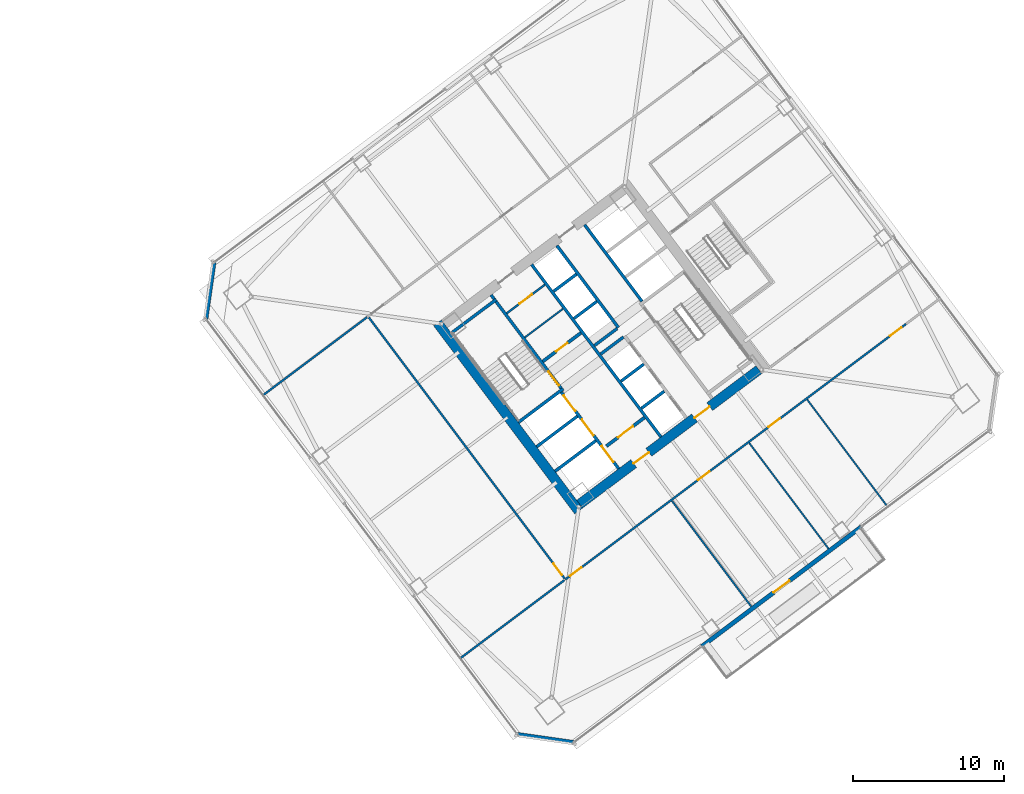
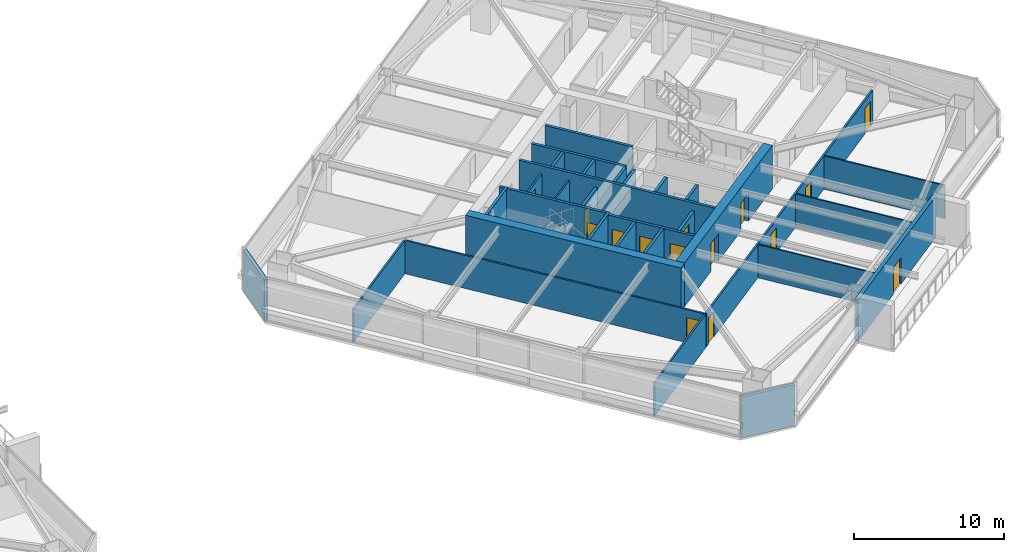
# One storey, part 37 of 46: 31 walls, 15 doors, 15 openings.
"""IFC4 building model written with IfcOpenShell, lengths in metres."""

from ifc_helpers import new_model, si_unit, direction, frame, frame_2d, origin, place, context, subcontext, project, spatial, rectangle, extrude, material, layer, layer_set, type_object, element, fill, save


model = new_model("IFC4")

# Units and contexts
model_context = context("Model", 3, precision=1e-05, world=origin(), true_north=direction((0.0, 1.0)))
body_context = subcontext(model_context, "Body", "Model", "MODEL_VIEW")
ifc_project = project(units=[si_unit("LENGTHUNIT", "METRE"), si_unit("AREAUNIT", "SQUARE_METRE"), si_unit("VOLUMEUNIT", "CUBIC_METRE"), si_unit("PLANEANGLEUNIT", "RADIAN"), si_unit("MASSUNIT", "GRAM", prefix="KILO")], contexts=[model_context])

# Site, building, storey
site_placement = place(None, origin())
site = spatial("IfcSite", under=ifc_project, at=site_placement, CompositionType="ELEMENT")
building_placement = place(site_placement, origin())
building = spatial("IfcBuilding", under=site, at=building_placement, Name="Tashvorn Skyway Center", CompositionType="ELEMENT")
storey_placement = place(building_placement, frame((0.0, 0.0, 99.14990234375)))
storey = spatial("IfcBuildingStorey", under=building, at=storey_placement, Name="L26", CompositionType="ELEMENT", Elevation=99.14990234375)

# Wall
ifc_material_1 = material(Name="Concrete C60/75", Category="concrete")
ifc_layer_1 = layer(ifc_material_1, 0.64990234375)
ifc_layer_set_1 = layer_set([ifc_layer_1], Name="Concrete C60/75")
wall_type_1 = type_object("IfcWallType", Name="WALL-CORE-650", PredefinedType="SHEAR", material=ifc_layer_set_1)
wall_1_placement = place(storey_placement, frame((112.47607421875, 21.10693359375, 0.0), z_axis=(0.0, 0.0, 1.0), x_axis=(-0.600005007985, 0.799996243986, 0.0)))
element("IfcWall", 1, at=wall_1_placement, inside=storey, type_object=wall_type_1, Name="Tower 2 L26 West Core Shear Wall", PredefinedType="SHEAR", context=body_context, shape_type="SweptSolid", body=[
    extrude(rectangle(XDim=15.60009765625, YDim=0.64990234375, at=frame_2d((7.800048828125, 0.0))), origin(), (0.0, 0.0, 1.0), 3.550048828125),
])

# Wall, openings, doors
wall_2_placement = place(storey_placement, frame((124.428955078125, 30.47802734375, 0.0), z_axis=(0.0, 0.0, 1.0), x_axis=(-0.799998028465, -0.600002628705, 0.0)))
wall_2 = element("IfcWall", 2, at=wall_2_placement, inside=storey, type_object=wall_type_1, Name="Tower 2 L26 South Core Shear Wall", PredefinedType="SHEAR", context=body_context, shape_type="SweptSolid", body=[
    extrude(rectangle(XDim=14.85986328125, YDim=0.64990234375, at=frame_2d((7.429931640625, 0.0))), origin(), (0.0, 0.0, 1.0), 3.550048828125),
])
opening_1_placement = place(wall_2_placement, frame((9.1298828125, 0.0, 0.0)))
opening_1 = element("IfcOpeningElement", 3, at=opening_1_placement, cuts=wall_2, Name="Opening D-FFL-1250", PredefinedType="OPENING", context=body_context, shape_type="SweptSolid", body=[
    extrude(rectangle(XDim=1.25, YDim=2.25, at=frame_2d((0.625, 1.125))), frame((0.0, 0.3349609375, 0.0), z_axis=(0.0, -1.0, 0.0), x_axis=(1.0, 0.0, 0.0)), (0.0, 0.0, 1.0), 0.669921875),
])
opening_2_placement = place(wall_2_placement, frame((4.080078125, 0.0, 0.0)))
opening_2 = element("IfcOpeningElement", 4, at=opening_2_placement, cuts=wall_2, Name="Opening D-FFL-1250", PredefinedType="OPENING", context=body_context, shape_type="SweptSolid", body=[
    extrude(rectangle(XDim=1.25, YDim=2.25, at=frame_2d((0.625, 1.125))), frame((0.0, 0.3349609375, 0.0), z_axis=(0.0, -1.0, 0.0), x_axis=(1.0, 0.0, 0.0)), (0.0, 0.0, 1.0), 0.669921875),
])
ifc_material_2 = material(Name="Hollow galvanized steel fire door assembly", Category="steel")
door_type_1 = type_object("IfcDoorType", Name="DOOR-FFL-1250", OperationType="NOTDEFINED", PredefinedType="DOOR", material=ifc_material_2)
door_1_placement = place(opening_1_placement, origin())
door_1 = element("IfcDoor", 5, at=door_1_placement, inside=storey, type_object=door_type_1, Name="Tower 2 L26 Core South Firefighting Exit Door", OperationType="SINGLE_SWING_LEFT", OverallHeight=2.25, OverallWidth=1.25, PredefinedType="DOOR", context=body_context, shape_type="SweptSolid", body=[
    extrude(rectangle(XDim=1.25, YDim=2.25, at=frame_2d((0.625, 1.125))), frame((0.0, 0.02490234375, 0.0), z_axis=(0.0, -1.0, 0.0), x_axis=(1.0, 0.0, 0.0)), (0.0, 0.0, 1.0), 0.050048828125),
])
fill(opening_1, door_1)
door_2_placement = place(opening_2_placement, origin())
door_2 = element("IfcDoor", 6, at=door_2_placement, inside=storey, type_object=door_type_1, Name="Tower 2 L26 Core South Lift Lobby Door", OperationType="SINGLE_SWING_RIGHT", OverallHeight=2.25, OverallWidth=1.25, PredefinedType="DOOR", context=body_context, shape_type="SweptSolid", body=[
    extrude(rectangle(XDim=1.25, YDim=2.25, at=frame_2d((0.625, 1.125))), frame((0.0, 0.02490234375, 0.0), z_axis=(0.0, -1.0, 0.0), x_axis=(1.0, 0.0, 0.0)), (0.0, 0.0, 1.0), 0.050048828125),
])
fill(opening_2, door_2)

# Wall, opening, door
ifc_material_3 = material(Name="Precast concrete C40/50", Category="concrete")
ifc_layer_2 = layer(ifc_material_3, 0.280029296875)
ifc_layer_set_2 = layer_set([ifc_layer_2], Name="Precast concrete C40/50")
wall_type_2 = type_object("IfcWallType", Name="WALL-EXT-280", PredefinedType="SOLIDWALL", material=ifc_layer_set_2)
wall_3_placement = place(storey_placement, frame((131.2080078125, 20.055908203125, 0.0), z_axis=(0.0, 0.0, 1.0), x_axis=(-0.800004438899, -0.599994081423, 0.0)))
wall_3 = element("IfcWall", 7, at=wall_3_placement, inside=storey, type_object=wall_type_2, Name="Tower 2 L26 South Sky Garden Loggia Wall", PredefinedType="SOLIDWALL", context=body_context, shape_type="SweptSolid", body=[
    extrude(rectangle(XDim=13.199951171875, YDim=0.280029296875, at=frame_2d((6.60009765625, 0.0))), origin(), (0.0, 0.0, 1.0), 3.35009765625),
])
opening_3_placement = place(wall_3_placement, frame((5.949951171875, 0.0, 0.0)))
opening_3 = element("IfcOpeningElement", 8, at=opening_3_placement, cuts=wall_3, Name="Opening D-TER-1300", PredefinedType="OPENING", context=body_context, shape_type="SweptSolid", body=[
    extrude(rectangle(XDim=1.300048828125, YDim=2.14990234375, at=frame_2d((0.64990234375, 1.074951171875))), frame((0.0, 0.14990234375, 0.0), z_axis=(0.0, -1.0, 0.0), x_axis=(1.0, 0.0, 0.0)), (0.0, 0.0, 1.0), 0.300048828125),
])
ifc_material_4 = material(Name="Thermally broken bronze-anodized aluminium 6063-T6", Category="aluminium")
door_type_2 = type_object("IfcDoorType", Name="DOOR-TERR-1300", OperationType="NOTDEFINED", PredefinedType="DOOR", material=ifc_material_4)
door_3_placement = place(opening_3_placement, origin())
door_3 = element("IfcDoor", 9, at=door_3_placement, inside=storey, type_object=door_type_2, Name="Tower 2 L26 Sky Garden Access Door", OperationType="SINGLE_SWING_LEFT", OverallHeight=2.14990234375, OverallWidth=1.300048828125, PredefinedType="DOOR", context=body_context, shape_type="SweptSolid", body=[
    extrude(rectangle(XDim=1.300048828125, YDim=2.14990234375, at=frame_2d((0.64990234375, 1.074951171875))), frame((0.0, 0.02490234375, 0.0), z_axis=(0.0, -1.0, 0.0), x_axis=(1.0, 0.0, 0.0)), (0.0, 0.0, 1.0), 0.050048828125),
])
fill(opening_3, door_3)

# Walls
for number, where, z_axis, x_axis, name in (
    (10, (112.179931640625, 5.760009765625, 0.0), (0.0, 0.0, 1.0), (-0.989948214866, 0.141430307517, 0.0), "Tower 2 L26 SW Precast Chamfer Wall"),
    (11, (87.760009765625, 33.820068359375, 0.0), (0.0, 0.0, 1.0), (0.141430307517, 0.989948214866, 0.0), "Tower 2 L26 NW Precast Chamfer Wall"),
):
    element("IfcWall", number, at=place(storey_placement, frame(where, z_axis=z_axis, x_axis=x_axis)), inside=storey, type_object=wall_type_2, Name=name, PredefinedType="SOLIDWALL", context=body_context, shape_type="SweptSolid", body=[
        extrude(rectangle(XDim=3.818359375, YDim=0.280029296875, at=frame_2d((1.9091796875, 0.0))), origin(), (0.0, 0.0, 1.0), 3.35009765625),
    ])

# Wall, opening, door
ifc_material_5 = material(Name="Concrete C40/50", Category="concrete")
ifc_layer_3 = layer(ifc_material_5, 0.219970703125)
ifc_layer_set_3 = layer_set([ifc_layer_3], Name="Concrete C40/50")
wall_type_3 = type_object("IfcWallType", Name="WALL-FFL-220", PredefinedType="SOLIDWALL", material=ifc_layer_set_3)
wall_4_placement = place(storey_placement, frame((110.10400390625, 31.028076171875, 0.0), z_axis=(0.0, 0.0, 1.0), x_axis=(0.800018601094, 0.59997519774, 0.0)))
wall_4 = element("IfcWall", 12, at=wall_4_placement, inside=storey, type_object=wall_type_3, Name="Tower 2 L26 Firefighting Lobby North Wall", PredefinedType="SOLIDWALL", context=body_context, shape_type="SweptSolid", body=[
    extrude(rectangle(XDim=3.14990234375, YDim=0.219970703125, at=frame_2d((1.574951171875, 0.0))), origin(), (0.0, 0.0, 1.0), 2.703125),
])
opening_4_placement = place(wall_4_placement, frame((1.10009765625, 0.0, 0.0)))
opening_4 = element("IfcOpeningElement", 13, at=opening_4_placement, cuts=wall_4, Name="Opening D-RT-950", PredefinedType="OPENING", context=body_context, shape_type="SweptSolid", body=[
    extrude(rectangle(XDim=0.949951171875, YDim=2.050048828125, at=frame_2d((0.47509765625, 1.02490234375))), frame((0.0, 0.119873046875, 0.0), z_axis=(0.0, -1.0, 0.0), x_axis=(1.0, 0.0, 0.0)), (0.0, 0.0, 1.0), 0.239990234375),
])
door_type_3 = type_object("IfcDoorType", Name="DOOR-RATED-950", OperationType="NOTDEFINED", PredefinedType="DOOR", material=ifc_material_2)
door_4_placement = place(opening_4_placement, origin())
door_4 = element("IfcDoor", 14, at=door_4_placement, inside=storey, type_object=door_type_3, Name="Tower 2 L26 Core Linen Store Door", OperationType="SINGLE_SWING_LEFT", OverallHeight=2.050048828125, OverallWidth=0.949951171875, PredefinedType="DOOR", context=body_context, shape_type="SweptSolid", body=[
    extrude(rectangle(XDim=0.949951171875, YDim=2.050048828125, at=frame_2d((0.47509765625, 1.02490234375))), frame((0.0, 0.02490234375, 0.0), z_axis=(0.0, -1.0, 0.0), x_axis=(1.0, 0.0, 0.0)), (0.0, 0.0, 1.0), 0.050048828125),
])
fill(opening_4, door_4)

wall_5_placement = place(storey_placement, frame((114.31591796875, 25.412109375, 0.0), z_axis=(0.0, 0.0, 1.0), x_axis=(0.800018601094, 0.59997519774, 0.0)))
wall_5 = element("IfcWall", 15, at=wall_5_placement, inside=storey, type_object=wall_type_3, Name="Tower 2 L26 Firefighting Lobby South Wall", PredefinedType="SOLIDWALL", context=body_context, shape_type="SweptSolid", body=[
    extrude(rectangle(XDim=3.14990234375, YDim=0.219970703125, at=frame_2d((1.574951171875, 0.0))), origin(), (0.0, 0.0, 1.0), 2.703125),
])
opening_5_placement = place(wall_5_placement, frame((0.949951171875, 0.0, 0.0)))
opening_5 = element("IfcOpeningElement", 16, at=opening_5_placement, cuts=wall_5, Name="Opening D-FFL-1250", PredefinedType="OPENING", context=body_context, shape_type="SweptSolid", body=[
    extrude(rectangle(XDim=1.25, YDim=2.25, at=frame_2d((0.625, 1.125))), frame((0.0, 0.119873046875, 0.0), z_axis=(0.0, -1.0, 0.0), x_axis=(1.0, 0.0, 0.0)), (0.0, 0.0, 1.0), 0.239990234375),
])
door_5_placement = place(opening_5_placement, origin())
door_5 = element("IfcDoor", 17, at=door_5_placement, inside=storey, type_object=door_type_1, Name="Tower 2 L26 Firefighting Lobby Egress Door", OperationType="SINGLE_SWING_LEFT", OverallHeight=2.25, OverallWidth=1.25, PredefinedType="DOOR", context=body_context, shape_type="SweptSolid", body=[
    extrude(rectangle(XDim=1.25, YDim=2.25, at=frame_2d((0.625, 1.125))), frame((0.0, 0.02490234375, 0.0), z_axis=(0.0, -1.0, 0.0), x_axis=(1.0, 0.0, 0.0)), (0.0, 0.0, 1.0), 0.050048828125),
])
fill(opening_5, door_5)

# Walls
ifc_material_6 = material(Name="Gypsum board on cold-formed steel stud framing", Category="steel")
ifc_layer_4 = layer(ifc_material_6, 0.110107421875)
ifc_layer_set_4 = layer_set([ifc_layer_4], Name="Gypsum board on cold-formed steel stud framing")
wall_type_4 = type_object("IfcWallType", Name="WALL-PART-110", PredefinedType="PARTITIONING", material=ifc_layer_set_4)
for number, where, z_axis, x_axis, name in (
    (18, (123.91796875, 14.77587890625, 0.0), (0.0, 0.0, 1.0), (-0.6, 0.8, 0.0), "Tower 2 L26 South Suite Partition 1"),
    (19, (129.0380859375, 18.615966796875, 0.0), (0.0, 0.0, 1.0), (-0.6, 0.8, 0.0), "Tower 2 L26 South Suite Partition 2"),
    (20, (132.8779296875, 21.49609375, 0.0), (0.0, 0.0, 1.0), (-0.6, 0.8, 0.0), "Tower 2 L26 South Suite Partition 3"),
):
    element("IfcWall", number, at=place(storey_placement, frame(where, z_axis=z_axis, x_axis=x_axis)), inside=storey, type_object=wall_type_4, Name=name, PredefinedType="PARTITIONING", context=body_context, shape_type="SweptSolid", body=[
        extrude(rectangle(XDim=8.75, YDim=0.110107421875, at=frame_2d((4.375, 0.0))), origin(), (0.0, 0.0, 1.0), 2.703125),
    ])

# Wall, openings, doors
ifc_layer_5 = layer(ifc_material_6, 0.135009765625)
ifc_layer_set_5 = layer_set([ifc_layer_5], Name="Gypsum board on cold-formed steel stud framing")
wall_type_5 = type_object("IfcWallType", Name="WALL-PART-135", PredefinedType="PARTITIONING", material=ifc_layer_set_5)
wall_6_placement = place(storey_placement, frame((134.179931640625, 33.510009765625, 0.0), z_axis=(0.0, 0.0, 1.0), x_axis=(-0.8, -0.6, 0.0)))
wall_6 = element("IfcWall", 21, at=wall_6_placement, inside=storey, type_object=wall_type_5, Name="Tower 2 L26 South Suite Wall", PredefinedType="PARTITIONING", context=body_context, shape_type="SweptSolid", body=[
    extrude(rectangle(XDim=28.22998046875, YDim=0.135009765625, at=frame_2d((14.114990234375, 0.0))), origin(), (0.0, 0.0, 1.0), 2.703125),
])
opening_6_placement = place(wall_6_placement, frame((26.89990234375, 0.0, 0.0)))
opening_6 = element("IfcOpeningElement", 22, at=opening_6_placement, cuts=wall_6, Name="Opening D-INT-950", PredefinedType="OPENING", context=body_context, shape_type="SweptSolid", body=[
    extrude(rectangle(XDim=0.949951171875, YDim=2.050048828125, at=frame_2d((0.47509765625, 1.02490234375))), frame((0.0, 0.077392578125, 0.0), z_axis=(0.0, -1.0, 0.0), x_axis=(1.0, 0.0, 0.0)), (0.0, 0.0, 1.0), 0.155029296875),
])
opening_7_placement = place(wall_6_placement, frame((16.296142578125, 0.0, 0.0)))
opening_7 = element("IfcOpeningElement", 23, at=opening_7_placement, cuts=wall_6, Name="Opening D-INT-950", PredefinedType="OPENING", context=body_context, shape_type="SweptSolid", body=[
    extrude(rectangle(XDim=0.949951171875, YDim=2.050048828125, at=frame_2d((0.47509765625, 1.02490234375))), frame((0.0, 0.077392578125, 0.0), z_axis=(0.0, -1.0, 0.0), x_axis=(1.0, 0.0, 0.0)), (0.0, 0.0, 1.0), 0.155029296875),
])
opening_8_placement = place(wall_6_placement, frame((10.4326171875, 0.0, 0.0)))
opening_8 = element("IfcOpeningElement", 24, at=opening_8_placement, cuts=wall_6, Name="Opening D-INT-950", PredefinedType="OPENING", context=body_context, shape_type="SweptSolid", body=[
    extrude(rectangle(XDim=0.949951171875, YDim=2.050048828125, at=frame_2d((0.47509765625, 1.02490234375))), frame((0.0, 0.077392578125, 0.0), z_axis=(0.0, -1.0, 0.0), x_axis=(1.0, 0.0, 0.0)), (0.0, 0.0, 1.0), 0.155029296875),
])
opening_9_placement = place(wall_6_placement, frame((0.3798828125, 0.0, 0.0)))
opening_9 = element("IfcOpeningElement", 25, at=opening_9_placement, cuts=wall_6, Name="Opening D-INT-950", PredefinedType="OPENING", context=body_context, shape_type="SweptSolid", body=[
    extrude(rectangle(XDim=0.949951171875, YDim=2.050048828125, at=frame_2d((0.47509765625, 1.02490234375))), frame((0.0, 0.077392578125, 0.0), z_axis=(0.0, -1.0, 0.0), x_axis=(1.0, 0.0, 0.0)), (0.0, 0.0, 1.0), 0.155029296875),
])
ifc_material_7 = material(Name="Solid-core architectural oak veneer door")
door_type_4 = type_object("IfcDoorType", Name="DOOR-INT-950", OperationType="NOTDEFINED", PredefinedType="DOOR", material=ifc_material_7)
door_6_placement = place(opening_6_placement, origin())
door_6 = element("IfcDoor", 26, at=door_6_placement, inside=storey, type_object=door_type_4, Name="Tower 2 L26 Executive Suite Door", OperationType="SINGLE_SWING_LEFT", OverallHeight=2.050048828125, OverallWidth=0.949951171875, PredefinedType="DOOR", context=body_context, shape_type="SweptSolid", body=[
    extrude(rectangle(XDim=0.949951171875, YDim=2.050048828125, at=frame_2d((0.47509765625, 1.02490234375))), frame((0.0, 0.02490234375, 0.0), z_axis=(0.0, -1.0, 0.0), x_axis=(1.0, 0.0, 0.0)), (0.0, 0.0, 1.0), 0.050048828125),
])
fill(opening_6, door_6)
door_7_placement = place(opening_7_placement, origin())
door_7 = element("IfcDoor", 27, at=door_7_placement, inside=storey, type_object=door_type_4, Name="Tower 2 L26 Design Studio Door", OperationType="SINGLE_SWING_RIGHT", OverallHeight=2.050048828125, OverallWidth=0.949951171875, PredefinedType="DOOR", context=body_context, shape_type="SweptSolid", body=[
    extrude(rectangle(XDim=0.949951171875, YDim=2.050048828125, at=frame_2d((0.47509765625, 1.02490234375))), frame((0.0, 0.02490234375, 0.0), z_axis=(0.0, -1.0, 0.0), x_axis=(1.0, 0.0, 0.0)), (0.0, 0.0, 1.0), 0.050048828125),
])
fill(opening_7, door_7)
door_8_placement = place(opening_8_placement, origin())
door_8 = element("IfcDoor", 28, at=door_8_placement, inside=storey, type_object=door_type_4, Name="Tower 2 L26 Design Studio Door", OperationType="SINGLE_SWING_LEFT", OverallHeight=2.050048828125, OverallWidth=0.949951171875, PredefinedType="DOOR", context=body_context, shape_type="SweptSolid", body=[
    extrude(rectangle(XDim=0.949951171875, YDim=2.050048828125, at=frame_2d((0.47509765625, 1.02490234375))), frame((0.0, 0.02490234375, 0.0), z_axis=(0.0, -1.0, 0.0), x_axis=(1.0, 0.0, 0.0)), (0.0, 0.0, 1.0), 0.050048828125),
])
fill(opening_8, door_8)
door_9_placement = place(opening_9_placement, origin())
door_9 = element("IfcDoor", 29, at=door_9_placement, inside=storey, type_object=door_type_4, Name="Tower 2 L26 Security Control Room Door", OperationType="SINGLE_SWING_RIGHT", OverallHeight=2.050048828125, OverallWidth=0.949951171875, PredefinedType="DOOR", context=body_context, shape_type="SweptSolid", body=[
    extrude(rectangle(XDim=0.949951171875, YDim=2.050048828125, at=frame_2d((0.47509765625, 1.02490234375))), frame((0.0, 0.02490234375, 0.0), z_axis=(0.0, -1.0, 0.0), x_axis=(1.0, 0.0, 0.0)), (0.0, 0.0, 1.0), 0.050048828125),
])
fill(opening_9, door_9)

# Wall, opening, door
wall_7_placement = place(storey_placement, frame((111.548095703125, 16.635986328125, 0.0), z_axis=(0.0, 0.0, 1.0), x_axis=(-0.600003610192, 0.799997292343, 0.0)))
wall_7 = element("IfcWall", 30, at=wall_7_placement, inside=storey, type_object=wall_type_5, Name="Tower 2 L26 West Inner Suite Wall", PredefinedType="PARTITIONING", context=body_context, shape_type="SweptSolid", body=[
    extrude(rectangle(XDim=21.64013671875, YDim=0.135009765625, at=frame_2d((10.820068359375, 0.0))), origin(), (0.0, 0.0, 1.0), 2.703125),
])
opening_10_placement = place(wall_7_placement, frame((0.300048828125, 0.0, 0.0)))
opening_10 = element("IfcOpeningElement", 31, at=opening_10_placement, cuts=wall_7, Name="Opening D-INT-950", PredefinedType="OPENING", context=body_context, shape_type="SweptSolid", body=[
    extrude(rectangle(XDim=0.949951171875, YDim=2.050048828125, at=frame_2d((0.47509765625, 1.02490234375))), frame((0.0, 0.077392578125, 0.0), z_axis=(0.0, -1.0, 0.0), x_axis=(1.0, 0.0, 0.0)), (0.0, 0.0, 1.0), 0.155029296875),
])
door_10_placement = place(opening_10_placement, origin())
door_10 = element("IfcDoor", 32, at=door_10_placement, inside=storey, type_object=door_type_4, Name="Tower 2 L26 Security Control Room Door", OperationType="SINGLE_SWING_LEFT", OverallHeight=2.050048828125, OverallWidth=0.949951171875, PredefinedType="DOOR", context=body_context, shape_type="SweptSolid", body=[
    extrude(rectangle(XDim=0.949951171875, YDim=2.050048828125, at=frame_2d((0.47509765625, 1.02490234375))), frame((0.0, 0.02490234375, 0.0), z_axis=(0.0, -1.0, 0.0), x_axis=(1.0, 0.0, 0.0)), (0.0, 0.0, 1.0), 0.050048828125),
])
fill(opening_10, door_10)

# Walls
wall_8_placement = place(storey_placement, frame((98.451904296875, 33.964111328125, 0.0), z_axis=(0.0, 0.0, 1.0), x_axis=(-0.799993202584, -0.600009063115, 0.0)))
element("IfcWall", 33, at=wall_8_placement, inside=storey, type_object=wall_type_5, Name="Tower 2 L26 West Suite North Wall", PredefinedType="PARTITIONING", context=body_context, shape_type="SweptSolid", body=[
    extrude(rectangle(XDim=8.6201171875, YDim=0.135009765625, at=frame_2d((4.31005859375, 0.0))), origin(), (0.0, 0.0, 1.0), 2.703125),
])
wall_9_placement = place(storey_placement, frame((104.635986328125, 11.35205078125, 0.0), z_axis=(0.0, 0.0, 1.0), x_axis=(0.800006797429, 0.599990936654, 0.0)))
element("IfcWall", 34, at=wall_9_placement, inside=storey, type_object=wall_type_5, Name="Tower 2 L26 West Suite South Wall", PredefinedType="PARTITIONING", context=body_context, shape_type="SweptSolid", body=[
    extrude(rectangle(XDim=8.619873046875, YDim=0.135009765625, at=frame_2d((4.31005859375, 0.0))), origin(), (0.0, 0.0, 1.0), 2.703125),
])
ifc_layer_6 = layer(ifc_material_6, 0.110107421875)
ifc_layer_set_6 = layer_set([ifc_layer_6], Name="Gypsum board on cold-formed steel stud framing")
wall_type_6 = type_object("IfcWallType", Name="WALL-RATED-110", PredefinedType="PARTITIONING", material=ifc_layer_set_6)
wall_10_placement = place(storey_placement, frame((108.909912109375, 32.6201171875, 0.0), z_axis=(0.0, 0.0, 1.0), x_axis=(0.800018601094, 0.59997519774, 0.0)))
element("IfcWall", 35, at=wall_10_placement, inside=storey, type_object=wall_type_6, Name="Tower 2 L26 Core Transverse Wall", PredefinedType="PARTITIONING", context=body_context, shape_type="SweptSolid", body=[
    extrude(rectangle(XDim=3.14990234375, YDim=0.110107421875, at=frame_2d((1.574951171875, 0.0))), origin(), (0.0, 0.0, 1.0), 2.703125),
])

# Wall, opening, door
ifc_layer_7 = layer(ifc_material_6, 0.135009765625)
ifc_layer_set_7 = layer_set([ifc_layer_7], Name="Gypsum board on cold-formed steel stud framing")
wall_type_7 = type_object("IfcWallType", Name="WALL-RATED-135", PredefinedType="PARTITIONING", material=ifc_layer_set_7)
wall_11_placement = place(storey_placement, frame((107.7099609375, 34.219970703125, 0.0), z_axis=(0.0, 0.0, 1.0), x_axis=(0.799981399002, 0.60002480053, 0.0)))
wall_11 = element("IfcWall", 36, at=wall_11_placement, inside=storey, type_object=wall_type_7, Name="Tower 2 L26 Core Service Lobby Wall", PredefinedType="PARTITIONING", context=body_context, shape_type="SweptSolid", body=[
    extrude(rectangle(XDim=3.150146484375, YDim=0.135009765625, at=frame_2d((1.5751953125, 0.0))), origin(), (0.0, 0.0, 1.0), 2.703125),
])
opening_11_placement = place(wall_11_placement, frame((1.050048828125, 0.0, 0.0)))
opening_11 = element("IfcOpeningElement", 37, at=opening_11_placement, cuts=wall_11, Name="Opening D-RT-1050", PredefinedType="OPENING", context=body_context, shape_type="SweptSolid", body=[
    extrude(rectangle(XDim=1.050048828125, YDim=2.199951171875, at=frame_2d((0.52490234375, 1.10009765625))), frame((0.0, 0.077392578125, 0.0), z_axis=(0.0, -1.0, 0.0), x_axis=(1.0, 0.0, 0.0)), (0.0, 0.0, 1.0), 0.155029296875),
])
door_type_5 = type_object("IfcDoorType", Name="DOOR-RATED-1050", OperationType="NOTDEFINED", PredefinedType="DOOR", material=ifc_material_2)
door_11_placement = place(opening_11_placement, origin())
door_11 = element("IfcDoor", 38, at=door_11_placement, inside=storey, type_object=door_type_5, Name="Tower 2 L26 Core Accessible WC Door", OperationType="SINGLE_SWING_RIGHT", OverallHeight=2.199951171875, OverallWidth=1.050048828125, PredefinedType="DOOR", context=body_context, shape_type="SweptSolid", body=[
    extrude(rectangle(XDim=1.050048828125, YDim=2.199951171875, at=frame_2d((0.52490234375, 1.10009765625))), frame((0.0, 0.02490234375, 0.0), z_axis=(0.0, -1.0, 0.0), x_axis=(1.0, 0.0, 0.0)), (0.0, 0.0, 1.0), 0.050048828125),
])
fill(opening_11, door_11)

# Walls
ifc_layer_8 = layer(ifc_material_5, 0.199951171875)
ifc_layer_set_8 = layer_set([ifc_layer_8], Name="Concrete C40/50")
wall_type_8 = type_object("IfcWallType", Name="WALL-SHAFT-200", PredefinedType="SOLIDWALL", material=ifc_layer_set_8)
for number, where, z_axis, x_axis, name in (
    (39, (110.906005859375, 23.741943359375, 0.0), (0.0, 0.0, 1.0), (0.8, 0.6, 0.0), "Tower 2 L26 FSAE Shaft Divider"),
    (40, (109.68798828125, 25.365966796875, 0.0), (0.0, 0.0, 1.0), (0.8, 0.6, 0.0), "Tower 2 L26 FSAE Shaft Divider"),
):
    element("IfcWall", number, at=place(storey_placement, frame(where, z_axis=z_axis, x_axis=x_axis)), inside=storey, type_object=wall_type_8, Name=name, PredefinedType="SOLIDWALL", context=body_context, shape_type="SweptSolid", body=[
        extrude(rectangle(XDim=3.380126953125, YDim=0.199951171875, at=frame_2d((1.68994140625, 0.0))), origin(), (0.0, 0.0, 1.0), 3.35009765625),
    ])
wall_12_placement = place(storey_placement, frame((116.64599609375, 27.922119140625, 0.0), z_axis=(0.0, 0.0, 1.0), x_axis=(0.8, 0.6, 0.0)))
element("IfcWall", 41, at=wall_12_placement, inside=storey, type_object=wall_type_8, Name="Tower 2 L26 Low-Rise Shaft Divider", PredefinedType="SOLIDWALL", context=body_context, shape_type="SweptSolid", body=[
    extrude(rectangle(XDim=1.8798828125, YDim=0.199951171875, at=frame_2d((0.93994140625, 0.0))), origin(), (0.0, 0.0, 1.0), 3.35009765625),
])
wall_13_placement = place(storey_placement, frame((115.2958984375, 29.721923828125, 0.0), z_axis=(0.0, 0.0, 1.0), x_axis=(0.799984418148, 0.600020775241, 0.0)))
element("IfcWall", 42, at=wall_13_placement, inside=storey, type_object=wall_type_8, Name="Tower 2 L26 Low-Rise Shaft Divider", PredefinedType="SOLIDWALL", context=body_context, shape_type="SweptSolid", body=[
    extrude(rectangle(XDim=1.880126953125, YDim=0.199951171875, at=frame_2d((0.93994140625, 0.0))), origin(), (0.0, 0.0, 1.0), 3.35009765625),
])
wall_14_placement = place(storey_placement, frame((113.946044921875, 31.52197265625, 0.0), z_axis=(0.0, 0.0, 1.0), x_axis=(0.8, 0.6, 0.0)))
element("IfcWall", 43, at=wall_14_placement, inside=storey, type_object=wall_type_8, Name="Tower 2 L26 Low-Rise Shaft Divider", PredefinedType="SOLIDWALL", context=body_context, shape_type="SweptSolid", body=[
    extrude(rectangle(XDim=1.8798828125, YDim=0.199951171875, at=frame_2d((0.93994140625, 0.0))), origin(), (0.0, 0.0, 1.0), 3.35009765625),
])
wall_15_placement = place(storey_placement, frame((115.110107421875, 33.27001953125, 0.0), z_axis=(0.0, 0.0, 1.0), x_axis=(-0.600011488909, 0.79999138319, 0.0)))
element("IfcWall", 44, at=wall_15_placement, inside=storey, type_object=wall_type_8, Name="Tower 2 L26 Mid-Rise Core Wall", PredefinedType="SOLIDWALL", context=body_context, shape_type="SweptSolid", body=[
    extrude(rectangle(XDim=6.800048828125, YDim=0.199951171875, at=frame_2d((3.39990234375, 0.0))), origin(), (0.0, 0.0, 1.0), 3.35009765625),
])
wall_16_placement = place(storey_placement, frame((113.52587890625, 32.08203125, 0.0), z_axis=(0.0, 0.0, 1.0), x_axis=(0.800046745961, 0.599937666993, 0.0)))
element("IfcWall", 45, at=wall_16_placement, inside=storey, type_object=wall_type_8, Name="Tower 2 L26 Mid-Rise Shaft Divider", PredefinedType="SOLIDWALL", context=body_context, shape_type="SweptSolid", body=[
    extrude(rectangle(XDim=1.880126953125, YDim=0.199951171875, at=frame_2d((0.93994140625, 0.0))), origin(), (0.0, 0.0, 1.0), 3.35009765625),
])
wall_17_placement = place(storey_placement, frame((112.176025390625, 33.882080078125, 0.0), z_axis=(0.0, 0.0, 1.0), x_axis=(0.8, 0.6, 0.0)))
element("IfcWall", 46, at=wall_17_placement, inside=storey, type_object=wall_type_8, Name="Tower 2 L26 Mid-Rise Shaft Divider", PredefinedType="SOLIDWALL", context=body_context, shape_type="SweptSolid", body=[
    extrude(rectangle(XDim=1.8798828125, YDim=0.199951171875, at=frame_2d((0.93994140625, 0.0))), origin(), (0.0, 0.0, 1.0), 3.35009765625),
])
wall_18_placement = place(storey_placement, frame((110.825927734375, 35.681884765625, 0.0), z_axis=(0.0, 0.0, 1.0), x_axis=(0.799984418148, 0.600020775241, 0.0)))
element("IfcWall", 47, at=wall_18_placement, inside=storey, type_object=wall_type_8, Name="Tower 2 L26 Mid-Rise Shaft Divider", PredefinedType="SOLIDWALL", context=body_context, shape_type="SweptSolid", body=[
    extrude(rectangle(XDim=1.880126953125, YDim=0.199951171875, at=frame_2d((0.93994140625, 0.0))), origin(), (0.0, 0.0, 1.0), 3.35009765625),
])

# Wall, opening, door
ifc_layer_9 = layer(ifc_material_5, 0.199951171875)
ifc_layer_set_9 = layer_set([ifc_layer_9], Name="Concrete C40/50")
wall_type_9 = type_object("IfcWallType", Name="WALL-STSHF-200", PredefinedType="SHEAR", material=ifc_layer_set_9)
wall_19_placement = place(storey_placement, frame((111.43994140625, 29.080078125, 0.0), z_axis=(0.0, 0.0, 1.0), x_axis=(-0.600009827119, 0.799992629566, 0.0)))
wall_19 = element("IfcWall", 48, at=wall_19_placement, inside=storey, type_object=wall_type_9, Name="Tower 2 L26 Stair 1 Enclosure Wall", PredefinedType="SHEAR", context=body_context, shape_type="SweptSolid", body=[
    extrude(rectangle(XDim=7.949951171875, YDim=0.199951171875, at=frame_2d((3.97509765625, 0.0))), origin(), (0.0, 0.0, 1.0), 3.35009765625),
])
opening_12_placement = place(wall_19_placement, frame((0.449951171875, 0.0, 0.0)))
opening_12 = element("IfcOpeningElement", 49, at=opening_12_placement, cuts=wall_19, Name="Opening D-ST-1150", PredefinedType="OPENING", context=body_context, shape_type="SweptSolid", body=[
    extrude(rectangle(XDim=1.14990234375, YDim=2.199951171875, at=frame_2d((0.574951171875, 1.10009765625))), frame((0.0, 0.10986328125, 0.0), z_axis=(0.0, -1.0, 0.0), x_axis=(1.0, 0.0, 0.0)), (0.0, 0.0, 1.0), 0.219970703125),
])
door_type_6 = type_object("IfcDoorType", Name="DOOR-STAIR-1150", OperationType="NOTDEFINED", PredefinedType="DOOR", material=ifc_material_2)
door_12_placement = place(opening_12_placement, origin())
door_12 = element("IfcDoor", 50, at=door_12_placement, inside=storey, type_object=door_type_6, Name="Tower 2 L26 Exit Stair 1 Door", OperationType="SINGLE_SWING_RIGHT", OverallHeight=2.199951171875, OverallWidth=1.14990234375, PredefinedType="DOOR", context=body_context, shape_type="SweptSolid", body=[
    extrude(rectangle(XDim=1.14990234375, YDim=2.199951171875, at=frame_2d((0.574951171875, 1.10009765625))), frame((0.0, 0.02490234375, 0.0), z_axis=(0.0, -1.0, 0.0), x_axis=(1.0, 0.0, 0.0)), (0.0, 0.0, 1.0), 0.050048828125),
])
fill(opening_12, door_12)

# Walls
for number, where, z_axis, x_axis, name in (
    (51, (108.47607421875, 26.98193359375, 0.0), (0.0, 0.0, 1.0), (0.799984290658, 0.600020945218, 0.0), "Tower 2 L26 Stair 1 South Wall"),
    (52, (104.035888671875, 32.902099609375, 0.0), (0.0, 0.0, 1.0), (0.800039270442, 0.59994763584, 0.0), "Tower 2 L26 Stair 1 North Wall"),
):
    element("IfcWall", number, at=place(storey_placement, frame(where, z_axis=z_axis, x_axis=x_axis)), inside=storey, type_object=wall_type_9, Name=name, PredefinedType="SHEAR", context=body_context, shape_type="SweptSolid", body=[
        extrude(rectangle(XDim=3.72998046875, YDim=0.199951171875, at=frame_2d((1.864990234375, 0.0))), origin(), (0.0, 0.0, 1.0), 3.35009765625),
    ])
wall_20_placement = place(storey_placement, frame((117.93798828125, 26.01611328125, 0.0), z_axis=(0.0, 0.0, 1.0), x_axis=(-0.600005463273, 0.799995902516, 0.0)))
element("IfcWall", 53, at=wall_20_placement, inside=storey, type_object=wall_type_9, Name="Tower 2 L26 Firefighting Lobby East Smoke Barrier", PredefinedType="SHEAR", context=body_context, shape_type="SweptSolid", body=[
    extrude(rectangle(XDim=14.300048828125, YDim=0.199951171875, at=frame_2d((7.14990234375, 0.0))), origin(), (0.0, 0.0, 1.0), 3.35009765625),
])

# Wall, openings, doors
wall_21_placement = place(storey_placement, frame((115.1298828125, 23.909912109375, 0.0), z_axis=(0.0, 0.0, 1.0), x_axis=(-0.599975393228, 0.800018454488, 0.0)))
wall_21 = element("IfcWall", 54, at=wall_21_placement, inside=storey, type_object=wall_type_9, Name="Tower 2 L26 FSAE and Goods Shaft Front Wall", PredefinedType="SHEAR", context=body_context, shape_type="SweptSolid", body=[
    extrude(rectangle(XDim=6.349853515625, YDim=0.199951171875, at=frame_2d((3.1748046875, 0.0))), origin(), (0.0, 0.0, 1.0), 3.35009765625),
])
opening_13_placement = place(wall_21_placement, frame((4.77490234375, 0.0, 0.0)))
opening_13 = element("IfcOpeningElement", 55, at=opening_13_placement, cuts=wall_21, Name="Opening LD-FF-T2-1-L26", PredefinedType="OPENING", context=body_context, shape_type="SweptSolid", body=[
    extrude(rectangle(XDim=1.300048828125, YDim=2.25, at=frame_2d((0.64990234375, 1.125))), frame((0.0, 0.10986328125, 0.0), z_axis=(0.0, -1.0, 0.0), x_axis=(1.0, 0.0, 0.0)), (0.0, 0.0, 1.0), 0.219970703125),
])
opening_14_placement = place(wall_21_placement, frame((2.77490234375, 0.0, 0.0)))
opening_14 = element("IfcOpeningElement", 56, at=opening_14_placement, cuts=wall_21, Name="Opening LD-FF-T2-2-L26", PredefinedType="OPENING", context=body_context, shape_type="SweptSolid", body=[
    extrude(rectangle(XDim=1.300048828125, YDim=2.25, at=frame_2d((0.64990234375, 1.125))), frame((0.0, 0.10986328125, 0.0), z_axis=(0.0, -1.0, 0.0), x_axis=(1.0, 0.0, 0.0)), (0.0, 0.0, 1.0), 0.219970703125),
])
opening_15_placement = place(wall_21_placement, frame((0.574951171875, 0.0, 0.0)))
opening_15 = element("IfcOpeningElement", 57, at=opening_15_placement, cuts=wall_21, Name="Opening LD-GD-T2-1-L26", PredefinedType="OPENING", context=body_context, shape_type="SweptSolid", body=[
    extrude(rectangle(XDim=1.300048828125, YDim=2.25, at=frame_2d((0.64990234375, 1.125))), frame((0.0, 0.10986328125, 0.0), z_axis=(0.0, -1.0, 0.0), x_axis=(1.0, 0.0, 0.0)), (0.0, 0.0, 1.0), 0.219970703125),
])
ifc_material_8 = material(Name="Stainless steel heavy-duty landing door", Category="steel")
door_type_7 = type_object("IfcDoorType", Name="DOOR-LIFT-1300", OperationType="SLIDING_TO_LEFT", PredefinedType="DOOR", material=ifc_material_8)
door_13_placement = place(opening_13_placement, origin())
door_13 = element("IfcDoor", 58, at=door_13_placement, inside=storey, type_object=door_type_7, Name="Lift FF-T2-1 L26 Landing Door", OperationType="SLIDING_TO_LEFT", OverallHeight=2.25, OverallWidth=1.300048828125, PredefinedType="DOOR", context=body_context, shape_type="SweptSolid", body=[
    extrude(rectangle(XDim=1.300048828125, YDim=2.25, at=frame_2d((0.64990234375, 1.125))), frame((0.0, 0.02490234375, 0.0), z_axis=(0.0, -1.0, 0.0), x_axis=(1.0, 0.0, 0.0)), (0.0, 0.0, 1.0), 0.050048828125),
])
fill(opening_13, door_13)
door_14_placement = place(opening_14_placement, origin())
door_14 = element("IfcDoor", 59, at=door_14_placement, inside=storey, type_object=door_type_7, Name="Lift FF-T2-2 L26 Landing Door", OperationType="SLIDING_TO_LEFT", OverallHeight=2.25, OverallWidth=1.300048828125, PredefinedType="DOOR", context=body_context, shape_type="SweptSolid", body=[
    extrude(rectangle(XDim=1.300048828125, YDim=2.25, at=frame_2d((0.64990234375, 1.125))), frame((0.0, 0.02490234375, 0.0), z_axis=(0.0, -1.0, 0.0), x_axis=(1.0, 0.0, 0.0)), (0.0, 0.0, 1.0), 0.050048828125),
])
fill(opening_14, door_14)
door_15_placement = place(opening_15_placement, origin())
door_15 = element("IfcDoor", 60, at=door_15_placement, inside=storey, type_object=door_type_7, Name="Lift GD-T2-1 L26 Landing Door", OperationType="SLIDING_TO_LEFT", OverallHeight=2.25, OverallWidth=1.300048828125, PredefinedType="DOOR", context=body_context, shape_type="SweptSolid", body=[
    extrude(rectangle(XDim=1.300048828125, YDim=2.25, at=frame_2d((0.64990234375, 1.125))), frame((0.0, 0.02490234375, 0.0), z_axis=(0.0, -1.0, 0.0), x_axis=(1.0, 0.0, 0.0)), (0.0, 0.0, 1.0), 0.050048828125),
])
fill(opening_15, door_15)

# Wall
wall_22_placement = place(storey_placement, frame((112.8701171875, 40.090087890625, 0.0), z_axis=(0.0, 0.0, 1.0), x_axis=(0.599975393228, -0.800018454488, 0.0)))
element("IfcWall", 61, at=wall_22_placement, inside=storey, type_object=wall_type_9, Name="Tower 2 L26 High-Rise Lift Shaft Front Wall", PredefinedType="SHEAR", context=body_context, shape_type="SweptSolid", body=[
    extrude(rectangle(XDim=6.349853515625, YDim=0.199951171875, at=frame_2d((3.1748046875, 0.0))), origin(), (0.0, 0.0, 1.0), 3.35009765625),
])

save(model, "model.ifc")
